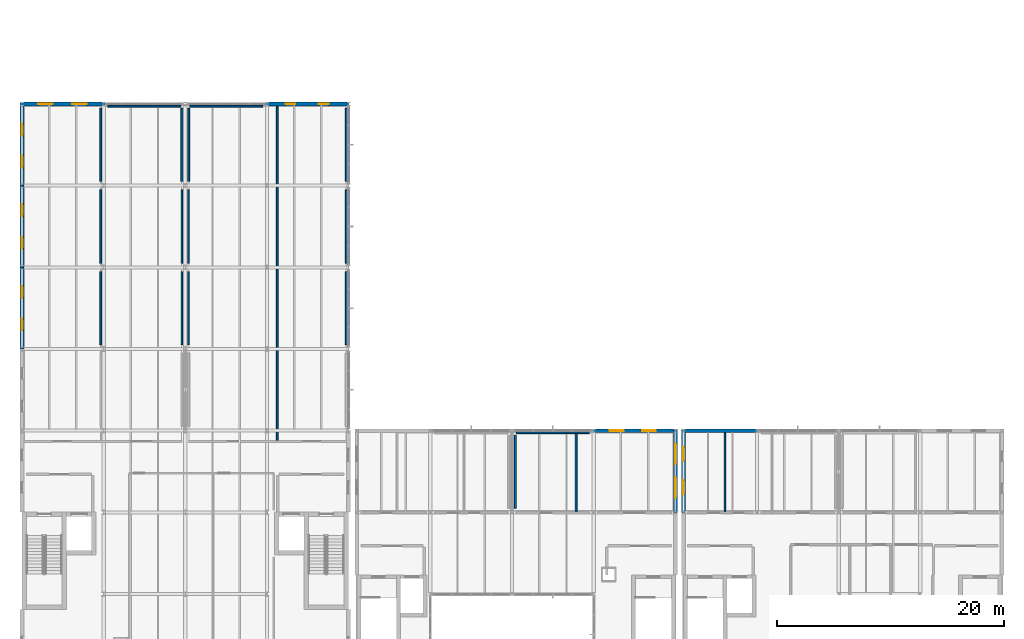
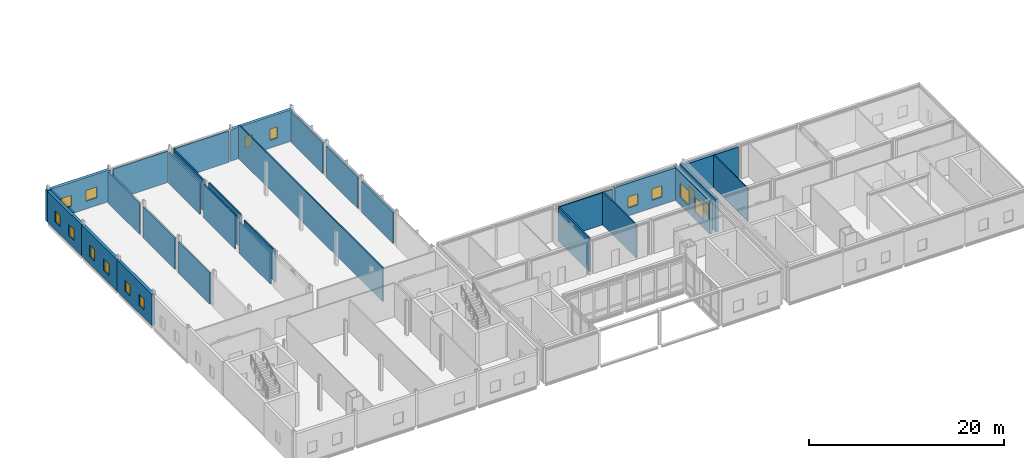
# One storey, part 32 of 43: 28 walls, 16 windows, 16 openings.
"""IFC4 building model written with IfcOpenShell, lengths in metres."""

from ifc_helpers import new_model, si_unit, direction, frame, frame_2d, origin, place, context, subcontext, project, spatial, rectangle, extrude, material, layer, layer_set, type_object, element, fill, save


model = new_model("IFC4")

# Units and contexts
model_context = context("Model", 3, precision=1e-05, world=origin(), true_north=direction((0.0, 1.0)))
body_context = subcontext(model_context, "Body", "Model", "MODEL_VIEW")
ifc_project = project(units=[si_unit("LENGTHUNIT", "METRE"), si_unit("AREAUNIT", "SQUARE_METRE"), si_unit("VOLUMEUNIT", "CUBIC_METRE"), si_unit("PLANEANGLEUNIT", "RADIAN"), si_unit("MASSUNIT", "GRAM", prefix="KILO")], contexts=[model_context])

# Site, building, storey
site_placement = place(None, origin())
site = spatial("IfcSite", under=ifc_project, at=site_placement, CompositionType="ELEMENT")
building_placement = place(site_placement, origin())
building = spatial("IfcBuilding", under=site, at=building_placement, Name="Zarrinpeak Specialist Clinic", CompositionType="ELEMENT")
storey_placement = place(building_placement, frame((0.0, 0.0, 18.39990234375)))
storey = spatial("IfcBuildingStorey", under=building, at=storey_placement, Name="L04", CompositionType="ELEMENT", Elevation=18.39990234375)

# Wall, openings, windows
ifc_material_1 = material(Name="Precast concrete C40/50", Category="concrete")
ifc_layer_1 = layer(ifc_material_1, 0.340087890625)
ifc_layer_set_1 = layer_set([ifc_layer_1], Name="Precast concrete C40/50")
wall_type_1 = type_object("IfcWallType", Name="WL-EW340", PredefinedType="STANDARD", material=ifc_layer_set_1)
wall_1_placement = place(storey_placement, frame((7.31005859375, 50.39990234375, 0.0), z_axis=(0.0, 0.0, 1.0), x_axis=(-1.0, 0.0, 0.0)))
wall_1 = element("IfcWall", 1, at=wall_1_placement, inside=storey, type_object=wall_type_1, Name="L04 V1 Exterior GRC Wall EW-L04-V1-0061", PredefinedType="STANDARD", context=body_context, shape_type="SweptSolid", body=[
    extrude(rectangle(XDim=7.47998046875, YDim=0.340087890625, at=frame_2d((3.739990234375, 0.0))), origin(), (0.0, 0.0, 1.0), 3.9150390625),
])
opening_1_placement = place(wall_1_placement, frame((1.610107421875, 0.0, 0.949951171875)))
opening_1 = element("IfcOpeningElement", 2, at=opening_1_placement, cuts=wall_1, Name="Opening WS-52", PredefinedType="OPENING", context=body_context, shape_type="SweptSolid", body=[
    extrude(rectangle(XDim=1.26806640625, YDim=1.367919921875, at=frame_2d((0.634033203125, 0.68408203125))), frame((0.0, 0.18017578125, 0.0), z_axis=(0.0, -1.0, 0.0), x_axis=(1.0, 0.0, 0.0)), (0.0, 0.0, 1.0), 0.360107421875),
])
opening_2_placement = place(wall_1_placement, frame((4.60205078125, 0.0, 0.949951171875)))
opening_2 = element("IfcOpeningElement", 3, at=opening_2_placement, cuts=wall_1, Name="Opening WS-52", PredefinedType="OPENING", context=body_context, shape_type="SweptSolid", body=[
    extrude(rectangle(XDim=1.26806640625, YDim=1.367919921875, at=frame_2d((0.634033203125, 0.68408203125))), frame((0.0, 0.18017578125, 0.0), z_axis=(0.0, -1.0, 0.0), x_axis=(1.0, 0.0, 0.0)), (0.0, 0.0, 1.0), 0.360107421875),
])
ifc_material_2 = material(Name="Thermally Broken Aluminium and Low-E Glazing", Category="aluminium")
window_type_1 = type_object("IfcWindowType", Name="WN-SP52", PartitioningType="SINGLE_PANEL", PredefinedType="WINDOW", material=ifc_material_2)
window_1_placement = place(opening_1_placement, origin())
window_1 = element("IfcWindow", 4, at=window_1_placement, inside=storey, type_object=window_type_1, Name="L04 Modular Facade Window WN-L04-0092", OverallHeight=1.367919921875, OverallWidth=1.26806640625, PartitioningType="SINGLE_PANEL", PredefinedType="WINDOW", context=body_context, shape_type="SweptSolid", body=[
    extrude(rectangle(XDim=1.26806640625, YDim=1.367919921875, at=frame_2d((0.634033203125, 0.68408203125))), frame((0.0, 0.030029296875, 0.0), z_axis=(0.0, -1.0, 0.0), x_axis=(1.0, 0.0, 0.0)), (0.0, 0.0, 1.0), 0.06005859375),
])
fill(opening_1, window_1)
window_2_placement = place(opening_2_placement, origin())
window_2 = element("IfcWindow", 5, at=window_2_placement, inside=storey, type_object=window_type_1, Name="L04 Modular Facade Window WN-L04-0093", OverallHeight=1.367919921875, OverallWidth=1.26806640625, PartitioningType="SINGLE_PANEL", PredefinedType="WINDOW", context=body_context, shape_type="SweptSolid", body=[
    extrude(rectangle(XDim=1.26806640625, YDim=1.367919921875, at=frame_2d((0.634033203125, 0.68408203125))), frame((0.0, 0.030029296875, 0.0), z_axis=(0.0, -1.0, 0.0), x_axis=(1.0, 0.0, 0.0)), (0.0, 0.0, 1.0), 0.06005859375),
])
fill(opening_2, window_2)

wall_2_placement = place(storey_placement, frame((28.800048828125, 50.39990234375, 0.0), z_axis=(0.0, 0.0, 1.0), x_axis=(-1.0, 0.0, 0.0)))
wall_2 = element("IfcWall", 6, at=wall_2_placement, inside=storey, type_object=wall_type_1, Name="L04 V1 Exterior GRC Wall EW-L04-V1-0062", PredefinedType="STANDARD", context=body_context, shape_type="SweptSolid", body=[
    extrude(rectangle(XDim=7.31005859375, YDim=0.340087890625, at=frame_2d((3.655029296875, 0.0))), origin(), (0.0, 0.0, 1.0), 3.9150390625),
])
opening_3_placement = place(wall_2_placement, frame((1.762939453125, 0.0, 0.949951171875)))
opening_3 = element("IfcOpeningElement", 7, at=opening_3_placement, cuts=wall_2, Name="Opening WS-53", PredefinedType="OPENING", context=body_context, shape_type="SweptSolid", body=[
    extrude(rectangle(XDim=0.860107421875, YDim=1.404052734375, at=frame_2d((0.43017578125, 0.7021484375))), frame((0.0, 0.18017578125, 0.0), z_axis=(0.0, -1.0, 0.0), x_axis=(1.0, 0.0, 0.0)), (0.0, 0.0, 1.0), 0.360107421875),
])
opening_4_placement = place(wall_2_placement, frame((4.68701171875, 0.0, 0.949951171875)))
opening_4 = element("IfcOpeningElement", 8, at=opening_4_placement, cuts=wall_2, Name="Opening WS-53", PredefinedType="OPENING", context=body_context, shape_type="SweptSolid", body=[
    extrude(rectangle(XDim=0.860107421875, YDim=1.404052734375, at=frame_2d((0.43017578125, 0.7021484375))), frame((0.0, 0.18017578125, 0.0), z_axis=(0.0, -1.0, 0.0), x_axis=(1.0, 0.0, 0.0)), (0.0, 0.0, 1.0), 0.360107421875),
])
window_type_2 = type_object("IfcWindowType", Name="WN-SP53", PartitioningType="SINGLE_PANEL", PredefinedType="WINDOW", material=ifc_material_2)
window_3_placement = place(opening_3_placement, origin())
window_3 = element("IfcWindow", 9, at=window_3_placement, inside=storey, type_object=window_type_2, Name="L04 Modular Facade Window WN-L04-0094", OverallHeight=1.404052734375, OverallWidth=0.860107421875, PartitioningType="SINGLE_PANEL", PredefinedType="WINDOW", context=body_context, shape_type="SweptSolid", body=[
    extrude(rectangle(XDim=0.860107421875, YDim=1.404052734375, at=frame_2d((0.43017578125, 0.7021484375))), frame((0.0, 0.030029296875, 0.0), z_axis=(0.0, -1.0, 0.0), x_axis=(1.0, 0.0, 0.0)), (0.0, 0.0, 1.0), 0.06005859375),
])
fill(opening_3, window_3)
window_4_placement = place(opening_4_placement, origin())
window_4 = element("IfcWindow", 10, at=window_4_placement, inside=storey, type_object=window_type_2, Name="L04 Modular Facade Window WN-L04-0095", OverallHeight=1.404052734375, OverallWidth=0.860107421875, PartitioningType="SINGLE_PANEL", PredefinedType="WINDOW", context=body_context, shape_type="SweptSolid", body=[
    extrude(rectangle(XDim=0.860107421875, YDim=1.404052734375, at=frame_2d((0.43017578125, 0.7021484375))), frame((0.0, 0.030029296875, 0.0), z_axis=(0.0, -1.0, 0.0), x_axis=(1.0, 0.0, 0.0)), (0.0, 0.0, 1.0), 0.06005859375),
])
fill(opening_4, window_4)

wall_3_placement = place(storey_placement, frame((0.0, 36.0, 0.0), z_axis=(0.0, 0.0, 1.0), x_axis=(0.0, -1.0, 0.0)))
wall_3 = element("IfcWall", 11, at=wall_3_placement, inside=storey, type_object=wall_type_1, Name="L04 V1 Exterior GRC Wall EW-L04-V1-0066", PredefinedType="STANDARD", context=body_context, shape_type="SweptSolid", body=[
    extrude(rectangle(XDim=7.199951171875, YDim=0.340087890625, at=frame_2d((3.60009765625, 0.0))), origin(), (0.0, 0.0, 1.0), 3.900146484375),
])
opening_5_placement = place(wall_3_placement, frame((1.662109375, 0.0, 0.949951171875)))
opening_5 = element("IfcOpeningElement", 12, at=opening_5_placement, cuts=wall_3, Name="Opening WS-57", PredefinedType="OPENING", context=body_context, shape_type="SweptSolid", body=[
    extrude(rectangle(XDim=0.99609375, YDim=1.404052734375, at=frame_2d((0.498046875, 0.7021484375))), frame((0.0, 0.18017578125, 0.0), z_axis=(0.0, -1.0, 0.0), x_axis=(1.0, 0.0, 0.0)), (0.0, 0.0, 1.0), 0.360107421875),
])
opening_6_placement = place(wall_3_placement, frame((4.5419921875, 0.0, 0.949951171875)))
opening_6 = element("IfcOpeningElement", 13, at=opening_6_placement, cuts=wall_3, Name="Opening WS-57", PredefinedType="OPENING", context=body_context, shape_type="SweptSolid", body=[
    extrude(rectangle(XDim=0.99609375, YDim=1.404052734375, at=frame_2d((0.498046875, 0.7021484375))), frame((0.0, 0.18017578125, 0.0), z_axis=(0.0, -1.0, 0.0), x_axis=(1.0, 0.0, 0.0)), (0.0, 0.0, 1.0), 0.360107421875),
])
window_type_3 = type_object("IfcWindowType", Name="WN-SP57", PartitioningType="SINGLE_PANEL", PredefinedType="WINDOW", material=ifc_material_2)
window_5_placement = place(opening_5_placement, origin())
window_5 = element("IfcWindow", 14, at=window_5_placement, inside=storey, type_object=window_type_3, Name="L04 Modular Facade Window WN-L04-0101", OverallHeight=1.404052734375, OverallWidth=0.99609375, PartitioningType="SINGLE_PANEL", PredefinedType="WINDOW", context=body_context, shape_type="SweptSolid", body=[
    extrude(rectangle(XDim=0.99609375, YDim=1.404052734375, at=frame_2d((0.498046875, 0.7021484375))), frame((0.0, 0.030029296875, 0.0), z_axis=(0.0, -1.0, 0.0), x_axis=(1.0, 0.0, 0.0)), (0.0, 0.0, 1.0), 0.06005859375),
])
fill(opening_5, window_5)
window_6_placement = place(opening_6_placement, origin())
window_6 = element("IfcWindow", 15, at=window_6_placement, inside=storey, type_object=window_type_3, Name="L04 Modular Facade Window WN-L04-0102", OverallHeight=1.404052734375, OverallWidth=0.99609375, PartitioningType="SINGLE_PANEL", PredefinedType="WINDOW", context=body_context, shape_type="SweptSolid", body=[
    extrude(rectangle(XDim=0.99609375, YDim=1.404052734375, at=frame_2d((0.498046875, 0.7021484375))), frame((0.0, 0.030029296875, 0.0), z_axis=(0.0, -1.0, 0.0), x_axis=(1.0, 0.0, 0.0)), (0.0, 0.0, 1.0), 0.06005859375),
])
fill(opening_6, window_6)

wall_4_placement = place(storey_placement, frame((0.0, 43.199951171875, 0.0), z_axis=(0.0, 0.0, 1.0), x_axis=(0.0, -1.0, 0.0)))
wall_4 = element("IfcWall", 16, at=wall_4_placement, inside=storey, type_object=wall_type_1, Name="L04 V1 Exterior GRC Wall EW-L04-V1-0067", PredefinedType="STANDARD", context=body_context, shape_type="SweptSolid", body=[
    extrude(rectangle(XDim=7.199951171875, YDim=0.340087890625, at=frame_2d((3.60009765625, 0.0))), origin(), (0.0, 0.0, 1.0), 3.900146484375),
])
opening_7_placement = place(wall_4_placement, frame((1.64501953125, 0.0, 0.949951171875)))
opening_7 = element("IfcOpeningElement", 17, at=opening_7_placement, cuts=wall_4, Name="Opening WS-58", PredefinedType="OPENING", context=body_context, shape_type="SweptSolid", body=[
    extrude(rectangle(XDim=1.030029296875, YDim=1.404052734375, at=frame_2d((0.51513671875, 0.7021484375))), frame((0.0, 0.18017578125, 0.0), z_axis=(0.0, -1.0, 0.0), x_axis=(1.0, 0.0, 0.0)), (0.0, 0.0, 1.0), 0.360107421875),
])
opening_8_placement = place(wall_4_placement, frame((4.52490234375, 0.0, 0.949951171875)))
opening_8 = element("IfcOpeningElement", 18, at=opening_8_placement, cuts=wall_4, Name="Opening WS-58", PredefinedType="OPENING", context=body_context, shape_type="SweptSolid", body=[
    extrude(rectangle(XDim=1.030029296875, YDim=1.404052734375, at=frame_2d((0.51513671875, 0.7021484375))), frame((0.0, 0.18017578125, 0.0), z_axis=(0.0, -1.0, 0.0), x_axis=(1.0, 0.0, 0.0)), (0.0, 0.0, 1.0), 0.360107421875),
])
window_type_4 = type_object("IfcWindowType", Name="WN-SP58", PartitioningType="SINGLE_PANEL", PredefinedType="WINDOW", material=ifc_material_2)
window_7_placement = place(opening_7_placement, origin())
window_7 = element("IfcWindow", 19, at=window_7_placement, inside=storey, type_object=window_type_4, Name="L04 Modular Facade Window WN-L04-0103", OverallHeight=1.404052734375, OverallWidth=1.030029296875, PartitioningType="SINGLE_PANEL", PredefinedType="WINDOW", context=body_context, shape_type="SweptSolid", body=[
    extrude(rectangle(XDim=1.030029296875, YDim=1.404052734375, at=frame_2d((0.51513671875, 0.7021484375))), frame((0.0, 0.030029296875, 0.0), z_axis=(0.0, -1.0, 0.0), x_axis=(1.0, 0.0, 0.0)), (0.0, 0.0, 1.0), 0.06005859375),
])
fill(opening_7, window_7)
window_8_placement = place(opening_8_placement, origin())
window_8 = element("IfcWindow", 20, at=window_8_placement, inside=storey, type_object=window_type_4, Name="L04 Modular Facade Window WN-L04-0104", OverallHeight=1.404052734375, OverallWidth=1.030029296875, PartitioningType="SINGLE_PANEL", PredefinedType="WINDOW", context=body_context, shape_type="SweptSolid", body=[
    extrude(rectangle(XDim=1.030029296875, YDim=1.404052734375, at=frame_2d((0.51513671875, 0.7021484375))), frame((0.0, 0.030029296875, 0.0), z_axis=(0.0, -1.0, 0.0), x_axis=(1.0, 0.0, 0.0)), (0.0, 0.0, 1.0), 0.06005859375),
])
fill(opening_8, window_8)

wall_5_placement = place(storey_placement, frame((0.0, 50.22998046875, 0.0), z_axis=(0.0, 0.0, 1.0), x_axis=(0.0, -1.0, 0.0)))
wall_5 = element("IfcWall", 21, at=wall_5_placement, inside=storey, type_object=wall_type_1, Name="L04 V1 Exterior GRC Wall EW-L04-V1-0068", PredefinedType="STANDARD", context=body_context, shape_type="SweptSolid", body=[
    extrude(rectangle(XDim=7.030029296875, YDim=0.340087890625, at=frame_2d((3.51513671875, 0.0))), origin(), (0.0, 0.0, 1.0), 3.864990234375),
])
opening_9_placement = place(wall_5_placement, frame((1.576904296875, 0.0, 0.949951171875)))
opening_9 = element("IfcOpeningElement", 22, at=opening_9_placement, cuts=wall_5, Name="Opening WS-59", PredefinedType="OPENING", context=body_context, shape_type="SweptSolid", body=[
    extrude(rectangle(XDim=1.06396484375, YDim=1.404052734375, at=frame_2d((0.531982421875, 0.7021484375))), frame((0.0, 0.18017578125, 0.0), z_axis=(0.0, -1.0, 0.0), x_axis=(1.0, 0.0, 0.0)), (0.0, 0.0, 1.0), 0.360107421875),
])
opening_10_placement = place(wall_5_placement, frame((4.388916015625, 0.0, 0.949951171875)))
opening_10 = element("IfcOpeningElement", 23, at=opening_10_placement, cuts=wall_5, Name="Opening WS-59", PredefinedType="OPENING", context=body_context, shape_type="SweptSolid", body=[
    extrude(rectangle(XDim=1.06396484375, YDim=1.404052734375, at=frame_2d((0.531982421875, 0.7021484375))), frame((0.0, 0.18017578125, 0.0), z_axis=(0.0, -1.0, 0.0), x_axis=(1.0, 0.0, 0.0)), (0.0, 0.0, 1.0), 0.360107421875),
])
window_type_5 = type_object("IfcWindowType", Name="WN-SP59", PartitioningType="SINGLE_PANEL", PredefinedType="WINDOW", material=ifc_material_2)
window_9_placement = place(opening_9_placement, origin())
window_9 = element("IfcWindow", 24, at=window_9_placement, inside=storey, type_object=window_type_5, Name="L04 Modular Facade Window WN-L04-0105", OverallHeight=1.404052734375, OverallWidth=1.06396484375, PartitioningType="SINGLE_PANEL", PredefinedType="WINDOW", context=body_context, shape_type="SweptSolid", body=[
    extrude(rectangle(XDim=1.06396484375, YDim=1.404052734375, at=frame_2d((0.531982421875, 0.7021484375))), frame((0.0, 0.030029296875, 0.0), z_axis=(0.0, -1.0, 0.0), x_axis=(1.0, 0.0, 0.0)), (0.0, 0.0, 1.0), 0.06005859375),
])
fill(opening_9, window_9)
window_10_placement = place(opening_10_placement, origin())
window_10 = element("IfcWindow", 25, at=window_10_placement, inside=storey, type_object=window_type_5, Name="L04 Modular Facade Window WN-L04-0106", OverallHeight=1.404052734375, OverallWidth=1.06396484375, PartitioningType="SINGLE_PANEL", PredefinedType="WINDOW", context=body_context, shape_type="SweptSolid", body=[
    extrude(rectangle(XDim=1.06396484375, YDim=1.404052734375, at=frame_2d((0.531982421875, 0.7021484375))), frame((0.0, 0.030029296875, 0.0), z_axis=(0.0, -1.0, 0.0), x_axis=(1.0, 0.0, 0.0)), (0.0, 0.0, 1.0), 0.06005859375),
])
fill(opening_10, window_10)

wall_6_placement = place(storey_placement, frame((57.429931640625, 21.60009765625, 0.0), z_axis=(0.0, 0.0, 1.0), x_axis=(-1.0, 0.0, 0.0)))
wall_6 = element("IfcWall", 26, at=wall_6_placement, inside=storey, type_object=wall_type_1, Name="L04 V2 Exterior GRC Wall EW-L04-V2-0146", PredefinedType="STANDARD", context=body_context, shape_type="SweptSolid", body=[
    extrude(rectangle(XDim=7.139892578125, YDim=0.340087890625, at=frame_2d((3.56982421875, 0.0))), origin(), (0.0, 0.0, 1.0), 4.03515625),
])
opening_11_placement = place(wall_6_placement, frame((1.5419921875, 0.0, 0.949951171875)))
opening_11 = element("IfcOpeningElement", 27, at=opening_11_placement, cuts=wall_6, Name="Opening WS-63", PredefinedType="OPENING", context=body_context, shape_type="SweptSolid", body=[
    extrude(rectangle(XDim=1.199951171875, YDim=1.404052734375, at=frame_2d((0.60009765625, 0.7021484375))), frame((0.0, 0.18017578125, 0.0), z_axis=(0.0, -1.0, 0.0), x_axis=(1.0, 0.0, 0.0)), (0.0, 0.0, 1.0), 0.360107421875),
])
opening_12_placement = place(wall_6_placement, frame((4.39794921875, 0.0, 0.949951171875)))
opening_12 = element("IfcOpeningElement", 28, at=opening_12_placement, cuts=wall_6, Name="Opening WS-63", PredefinedType="OPENING", context=body_context, shape_type="SweptSolid", body=[
    extrude(rectangle(XDim=1.199951171875, YDim=1.404052734375, at=frame_2d((0.60009765625, 0.7021484375))), frame((0.0, 0.18017578125, 0.0), z_axis=(0.0, -1.0, 0.0), x_axis=(1.0, 0.0, 0.0)), (0.0, 0.0, 1.0), 0.360107421875),
])
window_type_6 = type_object("IfcWindowType", Name="WN-SP63", PartitioningType="SINGLE_PANEL", PredefinedType="WINDOW", material=ifc_material_2)
window_11_placement = place(opening_11_placement, origin())
window_11 = element("IfcWindow", 29, at=window_11_placement, inside=storey, type_object=window_type_6, Name="L04 Modular Facade Window WN-L04-0178", OverallHeight=1.404052734375, OverallWidth=1.199951171875, PartitioningType="SINGLE_PANEL", PredefinedType="WINDOW", context=body_context, shape_type="SweptSolid", body=[
    extrude(rectangle(XDim=1.199951171875, YDim=1.404052734375, at=frame_2d((0.60009765625, 0.7021484375))), frame((0.0, 0.030029296875, 0.0), z_axis=(0.0, -1.0, 0.0), x_axis=(1.0, 0.0, 0.0)), (0.0, 0.0, 1.0), 0.06005859375),
])
fill(opening_11, window_11)
window_12_placement = place(opening_12_placement, origin())
window_12 = element("IfcWindow", 30, at=window_12_placement, inside=storey, type_object=window_type_6, Name="L04 Modular Facade Window WN-L04-0179", OverallHeight=1.404052734375, OverallWidth=1.199951171875, PartitioningType="SINGLE_PANEL", PredefinedType="WINDOW", context=body_context, shape_type="SweptSolid", body=[
    extrude(rectangle(XDim=1.199951171875, YDim=1.404052734375, at=frame_2d((0.60009765625, 0.7021484375))), frame((0.0, 0.030029296875, 0.0), z_axis=(0.0, -1.0, 0.0), x_axis=(1.0, 0.0, 0.0)), (0.0, 0.0, 1.0), 0.06005859375),
])
fill(opening_12, window_12)

wall_7_placement = place(storey_placement, frame((57.60009765625, 14.39990234375, 0.0), z_axis=(0.0, 0.0, 1.0), x_axis=(0.0, 1.0, 0.0)))
wall_7 = element("IfcWall", 31, at=wall_7_placement, inside=storey, type_object=wall_type_1, Name="L04 V2 Exterior GRC Wall EW-L04-V2-0150", PredefinedType="STANDARD", context=body_context, shape_type="SweptSolid", body=[
    extrude(rectangle(XDim=7.3701171875, YDim=0.340087890625, at=frame_2d((3.68505859375, 0.0))), origin(), (0.0, 0.0, 1.0), 4.110107421875),
])
opening_13_placement = place(wall_7_placement, frame((1.31103515625, 0.0, 0.949951171875)))
opening_13 = element("IfcOpeningElement", 32, at=opening_13_placement, cuts=wall_7, Name="Opening W-06", PredefinedType="OPENING", context=body_context, shape_type="SweptSolid", body=[
    extrude(rectangle(XDim=1.800048828125, YDim=1.85009765625, at=frame_2d((0.89990234375, 0.925048828125))), frame((0.0, 0.18017578125, 0.0), z_axis=(0.0, -1.0, 0.0), x_axis=(1.0, 0.0, 0.0)), (0.0, 0.0, 1.0), 0.360107421875),
])
opening_14_placement = place(wall_7_placement, frame((4.259033203125, 0.0, 0.949951171875)))
opening_14 = element("IfcOpeningElement", 33, at=opening_14_placement, cuts=wall_7, Name="Opening W-06", PredefinedType="OPENING", context=body_context, shape_type="SweptSolid", body=[
    extrude(rectangle(XDim=1.800048828125, YDim=1.85009765625, at=frame_2d((0.89990234375, 0.925048828125))), frame((0.0, 0.18017578125, 0.0), z_axis=(0.0, -1.0, 0.0), x_axis=(1.0, 0.0, 0.0)), (0.0, 0.0, 1.0), 0.360107421875),
])
window_type_7 = type_object("IfcWindowType", Name="WN-SQ180", PartitioningType="SINGLE_PANEL", PredefinedType="WINDOW", material=ifc_material_2)
window_13_placement = place(opening_13_placement, origin())
window_13 = element("IfcWindow", 34, at=window_13_placement, inside=storey, type_object=window_type_7, Name="L04 Modular Facade Window WN-L04-0182", OverallHeight=1.85009765625, OverallWidth=1.800048828125, PartitioningType="SINGLE_PANEL", PredefinedType="WINDOW", context=body_context, shape_type="SweptSolid", body=[
    extrude(rectangle(XDim=1.800048828125, YDim=1.85009765625, at=frame_2d((0.89990234375, 0.925048828125))), frame((0.0, 0.030029296875, 0.0), z_axis=(0.0, -1.0, 0.0), x_axis=(1.0, 0.0, 0.0)), (0.0, 0.0, 1.0), 0.06005859375),
])
fill(opening_13, window_13)
window_14_placement = place(opening_14_placement, origin())
window_14 = element("IfcWindow", 35, at=window_14_placement, inside=storey, type_object=window_type_7, Name="L04 Modular Facade Window WN-L04-0183", OverallHeight=1.85009765625, OverallWidth=1.800048828125, PartitioningType="SINGLE_PANEL", PredefinedType="WINDOW", context=body_context, shape_type="SweptSolid", body=[
    extrude(rectangle(XDim=1.800048828125, YDim=1.85009765625, at=frame_2d((0.89990234375, 0.925048828125))), frame((0.0, 0.030029296875, 0.0), z_axis=(0.0, -1.0, 0.0), x_axis=(1.0, 0.0, 0.0)), (0.0, 0.0, 1.0), 0.06005859375),
])
fill(opening_14, window_14)

# Wall
wall_8_placement = place(storey_placement, frame((64.909912109375, 21.60009765625, 0.0), z_axis=(0.0, 0.0, 1.0), x_axis=(-1.0, 0.0, 0.0)))
element("IfcWall", 36, at=wall_8_placement, inside=storey, type_object=wall_type_1, Name="L04 V4 Exterior GRC Wall EW-L04-V4-0205", PredefinedType="STANDARD", context=body_context, shape_type="SweptSolid", body=[
    extrude(rectangle(XDim=6.419921875, YDim=0.340087890625, at=frame_2d((3.2099609375, 0.0))), origin(), (0.0, 0.0, 1.0), 4.03515625),
])

# Wall, openings, windows
wall_9_placement = place(storey_placement, frame((58.320068359375, 21.77001953125, 0.0), z_axis=(0.0, 0.0, 1.0), x_axis=(0.0, -1.0, 0.0)))
wall_9 = element("IfcWall", 37, at=wall_9_placement, inside=storey, type_object=wall_type_1, Name="L04 V4 Exterior GRC Wall EW-L04-V4-0208", PredefinedType="STANDARD", context=body_context, shape_type="SweptSolid", body=[
    extrude(rectangle(XDim=7.3701171875, YDim=0.340087890625, at=frame_2d((3.68505859375, 0.0))), origin(), (0.0, 0.0, 1.0), 4.110107421875),
])
opening_15_placement = place(wall_9_placement, frame((1.593994140625, 0.0, 0.949951171875)))
opening_15 = element("IfcOpeningElement", 38, at=opening_15_placement, cuts=wall_9, Name="Opening WS-51", PredefinedType="OPENING", context=body_context, shape_type="SweptSolid", body=[
    extrude(rectangle(XDim=1.23388671875, YDim=1.367919921875, at=frame_2d((0.616943359375, 0.68408203125))), frame((0.0, 0.18017578125, 0.0), z_axis=(0.0, -1.0, 0.0), x_axis=(1.0, 0.0, 0.0)), (0.0, 0.0, 1.0), 0.360107421875),
])
opening_16_placement = place(wall_9_placement, frame((4.5419921875, 0.0, 0.949951171875)))
opening_16 = element("IfcOpeningElement", 39, at=opening_16_placement, cuts=wall_9, Name="Opening WS-51", PredefinedType="OPENING", context=body_context, shape_type="SweptSolid", body=[
    extrude(rectangle(XDim=1.23388671875, YDim=1.367919921875, at=frame_2d((0.616943359375, 0.68408203125))), frame((0.0, 0.18017578125, 0.0), z_axis=(0.0, -1.0, 0.0), x_axis=(1.0, 0.0, 0.0)), (0.0, 0.0, 1.0), 0.360107421875),
])
window_type_8 = type_object("IfcWindowType", Name="WN-SP51", PartitioningType="SINGLE_PANEL", PredefinedType="WINDOW", material=ifc_material_2)
window_15_placement = place(opening_15_placement, origin())
window_15 = element("IfcWindow", 40, at=window_15_placement, inside=storey, type_object=window_type_8, Name="L04 Modular Facade Window WN-L04-0238", OverallHeight=1.367919921875, OverallWidth=1.23388671875, PartitioningType="SINGLE_PANEL", PredefinedType="WINDOW", context=body_context, shape_type="SweptSolid", body=[
    extrude(rectangle(XDim=1.23388671875, YDim=1.367919921875, at=frame_2d((0.616943359375, 0.68408203125))), frame((0.0, 0.030029296875, 0.0), z_axis=(0.0, -1.0, 0.0), x_axis=(1.0, 0.0, 0.0)), (0.0, 0.0, 1.0), 0.06005859375),
])
fill(opening_15, window_15)
window_16_placement = place(opening_16_placement, origin())
window_16 = element("IfcWindow", 41, at=window_16_placement, inside=storey, type_object=window_type_8, Name="L04 Modular Facade Window WN-L04-0239", OverallHeight=1.367919921875, OverallWidth=1.23388671875, PartitioningType="SINGLE_PANEL", PredefinedType="WINDOW", context=body_context, shape_type="SweptSolid", body=[
    extrude(rectangle(XDim=1.23388671875, YDim=1.367919921875, at=frame_2d((0.616943359375, 0.68408203125))), frame((0.0, 0.030029296875, 0.0), z_axis=(0.0, -1.0, 0.0), x_axis=(1.0, 0.0, 0.0)), (0.0, 0.0, 1.0), 0.06005859375),
])
fill(opening_16, window_16)

# Walls
ifc_material_3 = material(Name="Moisture-Resistant Wet-Room Partition", Category="gypsum")
ifc_layer_2 = layer(ifc_material_3, 0.125)
ifc_layer_set_2 = layer_set([ifc_layer_2], Name="Moisture-Resistant Wet-Room Partition")
wall_type_2 = type_object("IfcWallType", Name="WL-IW125W", PredefinedType="PARTITIONING", material=ifc_layer_set_2)
wall_10_placement = place(storey_placement, frame((61.969970703125, 14.41259765625, 0.0), z_axis=(0.0, 0.0, 1.0), x_axis=(0.0, 1.0, 0.0)))
element("IfcWall", 42, at=wall_10_placement, inside=storey, type_object=wall_type_2, Name="L04 Accessible Patient WC Dividing Partition", PredefinedType="PARTITIONING", context=body_context, shape_type="SweptSolid", body=[
    extrude(rectangle(XDim=6.9873046875, YDim=0.125, at=frame_2d((3.49365234375, 0.0))), origin(), (0.0, 0.0, 1.0), 4.18017578125),
])
ifc_material_4 = material(Name="Standard Drywall Partition", Category="gypsum")
ifc_layer_3 = layer(ifc_material_4, 0.135009765625)
ifc_layer_set_3 = layer_set([ifc_layer_3], Name="Standard Drywall Partition")
wall_type_3 = type_object("IfcWallType", Name="WL-IW135", PredefinedType="PARTITIONING", material=ifc_layer_set_3)
wall_11_placement = place(storey_placement, frame((43.580078125, 21.39990234375, 0.0), z_axis=(0.0, 0.0, 1.0), x_axis=(1.0, 0.0, 0.0)))
element("IfcWall", 43, at=wall_11_placement, inside=storey, type_object=wall_type_3, Name="L04 Social Work Coordination Office Partition", PredefinedType="PARTITIONING", context=body_context, shape_type="SweptSolid", body=[
    extrude(rectangle(XDim=6.43994140625, YDim=0.135009765625, at=frame_2d((3.219970703125, 0.0))), origin(), (0.0, 0.0, 1.0), 4.03515625),
])
wall_12_placement = place(storey_placement, frame((7.580078125, 50.199951171875, 0.0), z_axis=(0.0, 0.0, 1.0), x_axis=(1.0, 0.0, 0.0)))
element("IfcWall", 44, at=wall_12_placement, inside=storey, type_object=wall_type_3, Name="L04 Endocrinology Diabetes Education Partition", PredefinedType="PARTITIONING", context=body_context, shape_type="SweptSolid", body=[
    extrude(rectangle(XDim=6.43994140625, YDim=0.135009765625, at=frame_2d((3.219970703125, 0.0))), origin(), (0.0, 0.0, 1.0), 3.9150390625),
])
for number, where, z_axis, x_axis, name in (
    (45, (14.10009765625, 36.3798828125, 0.0), (0.0, 0.0, 1.0), (0.0, 1.0, 0.0), "L04 Endocrinology Diabetes Education Dividing Partition"),
    (46, (14.699951171875, 36.3798828125, 0.0), (0.0, 0.0, 1.0), (0.0, 1.0, 0.0), "L04 Metabolic Nutrition Consult Dividing Partition"),
):
    element("IfcWall", number, at=place(storey_placement, frame(where, z_axis=z_axis, x_axis=x_axis)), inside=storey, type_object=wall_type_3, Name=name, PredefinedType="PARTITIONING", context=body_context, shape_type="SweptSolid", body=[
        extrude(rectangle(XDim=6.440185546875, YDim=0.135009765625, at=frame_2d((3.22021484375, 0.0))), origin(), (0.0, 0.0, 1.0), 4.215087890625),
    ])
ifc_material_5 = material(Name="Acoustic Consultation Stud Partition", Category="gypsum")
ifc_layer_4 = layer(ifc_material_5, 0.14208984375)
ifc_layer_set_4 = layer_set([ifc_layer_4], Name="Acoustic Consultation Stud Partition")
wall_type_4 = type_object("IfcWallType", Name="WL-IW142", PredefinedType="PARTITIONING", material=ifc_layer_set_4)
wall_13_placement = place(storey_placement, frame((6.949951171875, 43.580078125, 0.0), z_axis=(0.0, 0.0, 1.0), x_axis=(0.0, 1.0, 0.0)))
element("IfcWall", 47, at=wall_13_placement, inside=storey, type_object=wall_type_4, Name="L04 Bronchoscopy Preparation Room Dividing Partition", PredefinedType="PARTITIONING", context=body_context, shape_type="SweptSolid", body=[
    extrude(rectangle(XDim=6.43994140625, YDim=0.14208984375, at=frame_2d((3.219970703125, 0.0))), origin(), (0.0, 0.0, 1.0), 3.875),
])
for number, where, z_axis, x_axis, name in (
    (48, (14.10009765625, 29.179931640625, 0.0), (0.0, 0.0, 1.0), (0.0, 1.0, 0.0), "L04 Endocrinology Diabetes Education Dividing Partition"),
    (49, (14.699951171875, 29.179931640625, 0.0), (0.0, 0.0, 1.0), (0.0, 1.0, 0.0), "L04 Metabolic Nutrition Consult Dividing Partition"),
):
    element("IfcWall", number, at=place(storey_placement, frame(where, z_axis=z_axis, x_axis=x_axis)), inside=storey, type_object=wall_type_4, Name=name, PredefinedType="PARTITIONING", context=body_context, shape_type="SweptSolid", body=[
        extrude(rectangle(XDim=6.440185546875, YDim=0.14208984375, at=frame_2d((3.22021484375, 0.0))), origin(), (0.0, 0.0, 1.0), 3.91015625),
    ])
ifc_material_6 = material(Name="Insulated Clinical Gypsum Stud Partition", Category="gypsum")
ifc_layer_5 = layer(ifc_material_6, 0.14990234375)
ifc_layer_set_5 = layer_set([ifc_layer_5], Name="Insulated Clinical Gypsum Stud Partition")
wall_type_5 = type_object("IfcWallType", Name="WL-IW150", PredefinedType="PARTITIONING", material=ifc_layer_set_5)
wall_14_placement = place(storey_placement, frame((14.780029296875, 50.199951171875, 0.0), z_axis=(0.0, 0.0, 1.0), x_axis=(1.0, 0.0, 0.0)))
element("IfcWall", 50, at=wall_14_placement, inside=storey, type_object=wall_type_5, Name="L04 Metabolic Nutrition Consult Partition", PredefinedType="PARTITIONING", context=body_context, shape_type="SweptSolid", body=[
    extrude(rectangle(XDim=6.43994140625, YDim=0.14990234375, at=frame_2d((3.219970703125, 0.0))), origin(), (0.0, 0.0, 1.0), 3.9150390625),
])
wall_15_placement = place(storey_placement, frame((6.949951171875, 36.3798828125, 0.0), z_axis=(0.0, 0.0, 1.0), x_axis=(0.0, 1.0, 0.0)))
element("IfcWall", 51, at=wall_15_placement, inside=storey, type_object=wall_type_5, Name="L04 Bronchoscopy Preparation Room Dividing Partition", PredefinedType="PARTITIONING", context=body_context, shape_type="SweptSolid", body=[
    extrude(rectangle(XDim=6.440185546875, YDim=0.14990234375, at=frame_2d((3.22021484375, 0.0))), origin(), (0.0, 0.0, 1.0), 3.91015625),
])
ifc_material_7 = material(Name="Lead-Lined X-Ray Diagnostic Partition", Category="gypsum")
ifc_layer_6 = layer(ifc_material_7, 0.157958984375)
ifc_layer_set_6 = layer_set([ifc_layer_6], Name="Lead-Lined X-Ray Diagnostic Partition")
wall_type_6 = type_object("IfcWallType", Name="WL-IW158", PredefinedType="PARTITIONING", material=ifc_layer_set_6)
wall_16_placement = place(storey_placement, frame((22.5, 20.72900390625, 0.0), z_axis=(0.0, 0.0, 1.0), x_axis=(0.0, 1.0, 0.0)))
element("IfcWall", 52, at=wall_16_placement, inside=storey, type_object=wall_type_6, Name="L04 Pulmonology Spirometry Lab Dividing Partition", PredefinedType="PARTITIONING", context=body_context, shape_type="SweptSolid", body=[
    extrude(rectangle(XDim=29.470947265625, YDim=0.157958984375, at=frame_2d((14.7353515625, 0.0))), origin(), (0.0, 0.0, 1.0), 4.215087890625),
])
for number, where, z_axis, x_axis, name in (
    (53, (28.60009765625, 29.179931640625, 0.0), (0.0, 0.0, 1.0), (0.0, 1.0, 0.0), "L04 Pulmonology Spirometry Lab Dividing Partition"),
    (54, (28.60009765625, 36.3798828125, 0.0), (0.0, 0.0, 1.0), (0.0, 1.0, 0.0), "L04 Pulmonology Spirometry Lab Dividing Partition"),
):
    element("IfcWall", number, at=place(storey_placement, frame(where, z_axis=z_axis, x_axis=x_axis)), inside=storey, type_object=wall_type_6, Name=name, PredefinedType="PARTITIONING", context=body_context, shape_type="SweptSolid", body=[
        extrude(rectangle(XDim=6.440185546875, YDim=0.157958984375, at=frame_2d((3.22021484375, 0.0))), origin(), (0.0, 0.0, 1.0), 3.900146484375),
    ])
wall_17_placement = place(storey_placement, frame((28.60009765625, 43.580078125, 0.0), z_axis=(0.0, 0.0, 1.0), x_axis=(0.0, 1.0, 0.0)))
element("IfcWall", 55, at=wall_17_placement, inside=storey, type_object=wall_type_6, Name="L04 Pulmonology Spirometry Lab Dividing Partition", PredefinedType="PARTITIONING", context=body_context, shape_type="SweptSolid", body=[
    extrude(rectangle(XDim=6.43994140625, YDim=0.157958984375, at=frame_2d((3.219970703125, 0.0))), origin(), (0.0, 0.0, 1.0), 3.864990234375),
])
ifc_material_8 = material(Name="Acoustic Double Gypsum Stud Partition", Category="gypsum")
ifc_layer_7 = layer(ifc_material_8, 0.159912109375)
ifc_layer_set_7 = layer_set([ifc_layer_7], Name="Acoustic Double Gypsum Stud Partition")
wall_type_7 = type_object("IfcWallType", Name="WL-IW160", PredefinedType="PARTITIONING", material=ifc_layer_set_7)
wall_18_placement = place(storey_placement, frame((6.949951171875, 29.179931640625, 0.0), z_axis=(0.0, 0.0, 1.0), x_axis=(0.0, 1.0, 0.0)))
element("IfcWall", 56, at=wall_18_placement, inside=storey, type_object=wall_type_7, Name="L04 Bronchoscopy Preparation Room Dividing Partition", PredefinedType="PARTITIONING", context=body_context, shape_type="SweptSolid", body=[
    extrude(rectangle(XDim=6.440185546875, YDim=0.159912109375, at=frame_2d((3.22021484375, 0.0))), origin(), (0.0, 0.0, 1.0), 3.91015625),
])
for number, where, z_axis, x_axis, name in (
    (57, (14.10009765625, 43.580078125, 0.0), (0.0, 0.0, 1.0), (0.0, 1.0, 0.0), "L04 Endocrinology Diabetes Education Dividing Partition"),
    (58, (14.699951171875, 43.580078125, 0.0), (0.0, 0.0, 1.0), (0.0, 1.0, 0.0), "L04 Metabolic Nutrition Consult Dividing Partition"),
):
    element("IfcWall", number, at=place(storey_placement, frame(where, z_axis=z_axis, x_axis=x_axis)), inside=storey, type_object=wall_type_7, Name=name, PredefinedType="PARTITIONING", context=body_context, shape_type="SweptSolid", body=[
        extrude(rectangle(XDim=6.43994140625, YDim=0.159912109375, at=frame_2d((3.219970703125, 0.0))), origin(), (0.0, 0.0, 1.0), 3.875),
    ])
wall_19_placement = place(storey_placement, frame((43.5, 14.780029296875, 0.0), z_axis=(0.0, 0.0, 1.0), x_axis=(0.0, 1.0, 0.0)))
element("IfcWall", 59, at=wall_19_placement, inside=storey, type_object=wall_type_7, Name="L04 Social Work Coordination Office Dividing Partition", PredefinedType="PARTITIONING", context=body_context, shape_type="SweptSolid", body=[
    extrude(rectangle(XDim=6.43994140625, YDim=0.159912109375, at=frame_2d((3.219970703125, 0.0))), origin(), (0.0, 0.0, 1.0), 4.18017578125),
])
wall_20_placement = place(storey_placement, frame((48.85009765625, 14.4208984375, 0.0), z_axis=(0.0, 0.0, 1.0), x_axis=(0.0, 1.0, 0.0)))
element("IfcWall", 60, at=wall_20_placement, inside=storey, type_object=wall_type_7, Name="L04 Social Work Coordination Office Dividing Partition", PredefinedType="PARTITIONING", context=body_context, shape_type="SweptSolid", body=[
    extrude(rectangle(XDim=6.91162109375, YDim=0.159912109375, at=frame_2d((3.455810546875, 0.0))), origin(), (0.0, 0.0, 1.0), 4.18017578125),
])

save(model, "model.ifc")
